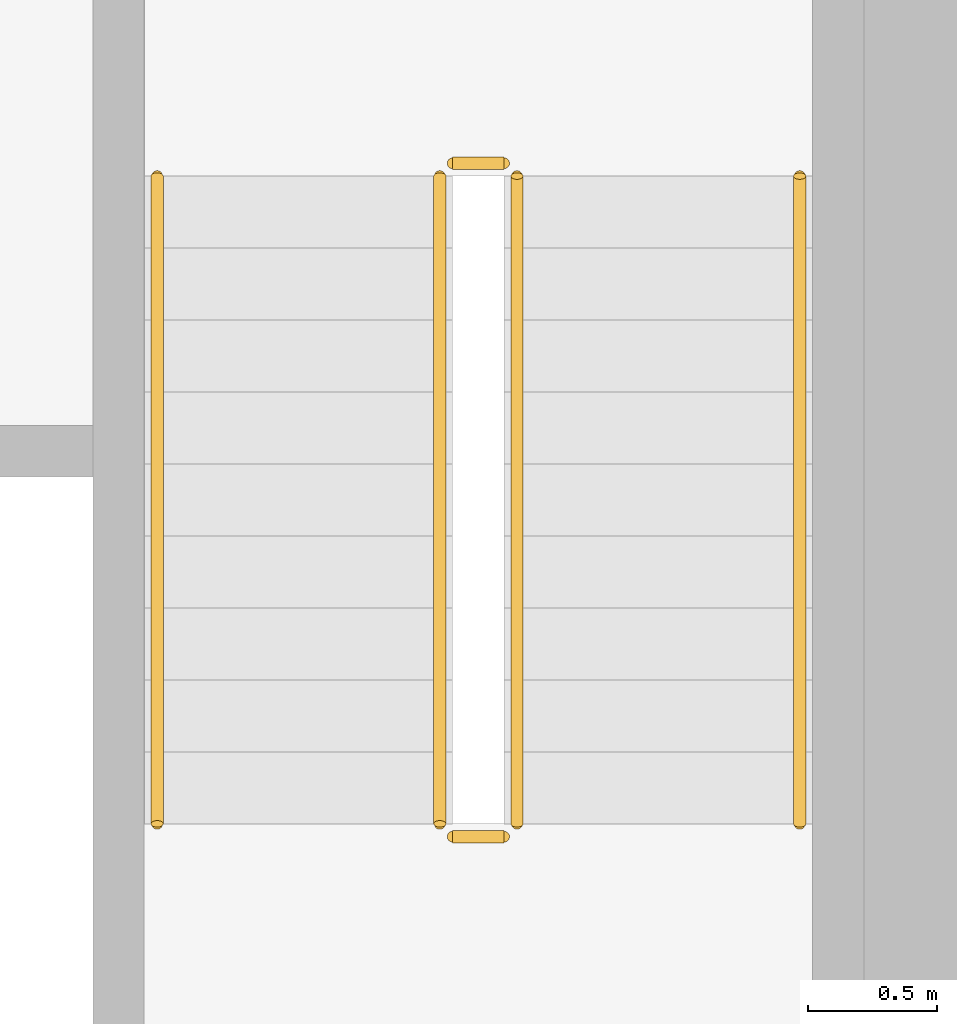
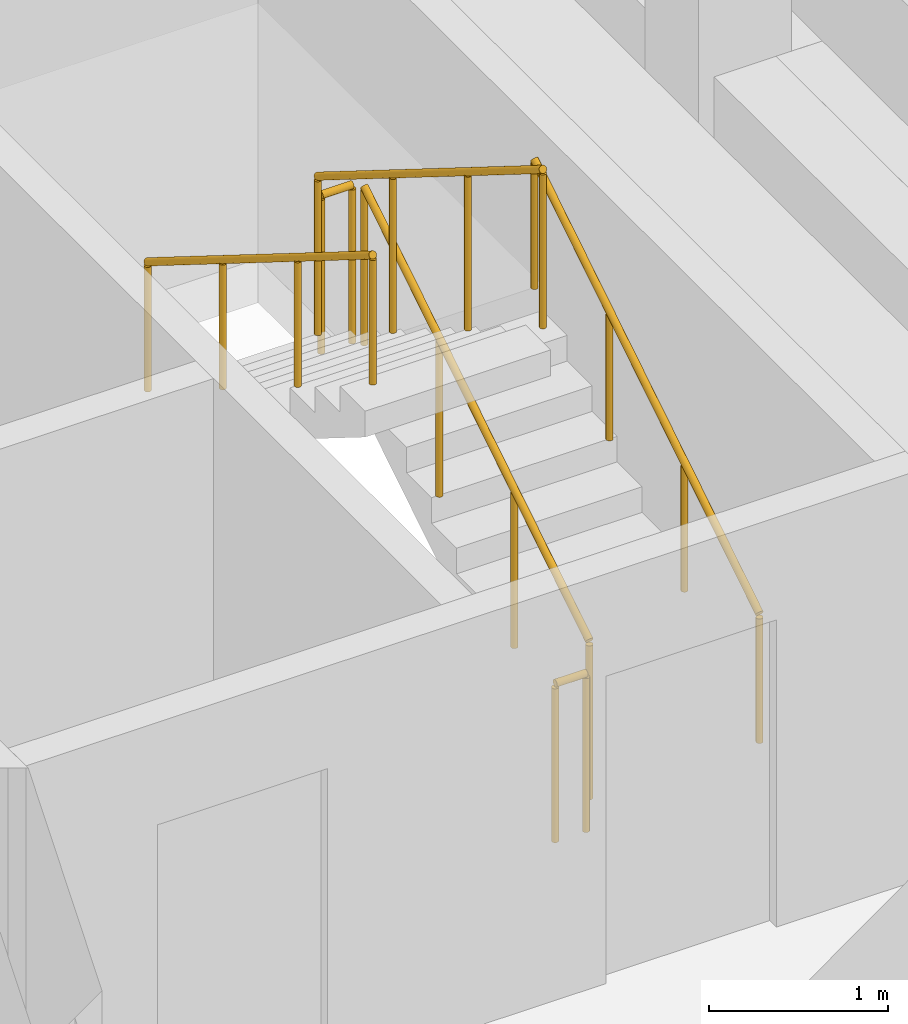
# One storey, part 9 of 12: 6 railings.
"""IFC4 building model written with IfcOpenShell, lengths in metres."""

from ifc_helpers import new_model, si_unit, direction, frame, origin, origin_2d, place, context, subcontext, project, spatial, circle, extrude, material, type_object, element, save


model = new_model("IFC4")

# Units and contexts
model_context = context("Model", 3, precision=1e-05, world=origin(), true_north=direction((0.0, 1.0)))
body_context = subcontext(model_context, "Body", "Model", "MODEL_VIEW")
ifc_project = project(units=[si_unit("LENGTHUNIT", "METRE"), si_unit("AREAUNIT", "SQUARE_METRE"), si_unit("VOLUMEUNIT", "CUBIC_METRE"), si_unit("PLANEANGLEUNIT", "RADIAN"), si_unit("MASSUNIT", "GRAM", prefix="KILO")], contexts=[model_context])

# Site, building, storey
site_placement = place(None, origin())
site = spatial("IfcSite", under=ifc_project, at=site_placement, CompositionType="ELEMENT")
building_placement = place(site_placement, origin())
building = spatial("IfcBuilding", under=site, at=building_placement, Name="Kiln Ring Residences", CompositionType="ELEMENT")
storey_placement = place(building_placement, frame((0.0, 0.0, 310.39990234375)))
storey = spatial("IfcBuildingStorey", under=building, at=storey_placement, Name="L80 Crown", CompositionType="ELEMENT", Elevation=310.39990234375)

# Railings
ifc_material_1 = material(Name="Stainless steel", Category="steel")
railing_type_1 = type_object("IfcRailingType", Name="CORE-STAIR-GUARD", PredefinedType="GUARDRAIL", material=ifc_material_1)
railing_1_placement = place(storey_placement, frame((22.25, -8.39990234375, 0.175048828125)))
element("IfcRailing", 1, at=railing_1_placement, inside=storey, type_object=railing_type_1, Name="L80 Crown E-STS stair guard 1", PredefinedType="GUARDRAIL", context=body_context, shape_type="SweptSolid", body=[
    extrude(circle(Radius=0.02392578125, at=origin_2d()), frame((0.0, 0.0, 1.076171875), z_axis=(0.0, 0.848007534815, 0.529984170421), x_axis=(-1.0, 0.0, 0.0)), (0.0, 0.0, 1.0), 2.9716796875),
    extrude(circle(Radius=0.02099609375, at=origin_2d()), origin(), (0.0, 0.0, 1.0), 1.052001953125),
    extrude(circle(Radius=0.02099609375, at=origin_2d()), frame((0.0, 0.840087890625, 0.52490234375)), (0.0, 0.0, 1.0), 1.052001953125),
    extrude(circle(Radius=0.02099609375, at=origin_2d()), frame((0.0, 1.679931640625, 1.050048828125)), (0.0, 0.0, 1.0), 1.052001953125),
    extrude(circle(Radius=0.02099609375, at=origin_2d()), frame((0.0, 2.52001953125, 1.574951171875)), (0.0, 0.0, 1.0), 1.052001953125),
])
railing_2_placement = place(storey_placement, frame((22.199951171875, -5.830078125, 1.75)))
element("IfcRailing", 2, at=railing_2_placement, inside=storey, type_object=railing_type_1, Name="L80 Crown E-STS stair guard 2", PredefinedType="GUARDRAIL", context=body_context, shape_type="SweptSolid", body=[
    extrude(circle(Radius=0.02392578125, at=origin_2d()), frame((0.0, 0.0, 1.076171875), z_axis=(-1.0, 0.0, 0.0), x_axis=(0.0, -1.0, 0.0)), (0.0, 0.0, 1.0), 0.199951171875),
    extrude(circle(Radius=0.02099609375, at=origin_2d()), origin(), (0.0, 0.0, 1.0), 1.052001953125),
    extrude(circle(Radius=0.02099609375, at=origin_2d()), frame((-0.199951171875, 0.0, 0.0)), (0.0, 0.0, 1.0), 1.052001953125),
])
railing_3_placement = place(storey_placement, frame((21.949951171875, -5.8798828125, 1.925048828125)))
element("IfcRailing", 3, at=railing_3_placement, inside=storey, type_object=railing_type_1, Name="L80 Crown E-STS stair guard 3", PredefinedType="GUARDRAIL", context=body_context, shape_type="SweptSolid", body=[
    extrude(circle(Radius=0.02392578125, at=origin_2d()), frame((0.0, 0.0, 1.076171875), z_axis=(0.0, -0.848007534815, 0.529984170421), x_axis=(1.0, 0.0, 0.0)), (0.0, 0.0, 1.0), 2.9716796875),
    extrude(circle(Radius=0.02099609375, at=origin_2d()), origin(), (0.0, 0.0, 1.0), 1.052001953125),
    extrude(circle(Radius=0.02099609375, at=origin_2d()), frame((0.0, -0.840087890625, 0.52490234375)), (0.0, 0.0, 1.0), 1.052001953125),
    extrude(circle(Radius=0.02099609375, at=origin_2d()), frame((0.0, -1.679931640625, 1.050048828125)), (0.0, 0.0, 1.0), 1.052001953125),
    extrude(circle(Radius=0.02099609375, at=origin_2d()), frame((0.0, -2.52001953125, 1.574951171875)), (0.0, 0.0, 1.0), 1.052001953125),
])
railing_4_placement = place(storey_placement, frame((22.199951171875, -8.449951171875, 0.0)))
element("IfcRailing", 4, at=railing_4_placement, inside=storey, type_object=railing_type_1, Name="L80 Crown E-STS stair guard 4", PredefinedType="GUARDRAIL", context=body_context, shape_type="SweptSolid", body=[
    extrude(circle(Radius=0.02392578125, at=origin_2d()), frame((0.0, 0.0, 1.076171875), z_axis=(-1.0, 0.0, 0.0), x_axis=(0.0, -1.0, 0.0)), (0.0, 0.0, 1.0), 0.199951171875),
    extrude(circle(Radius=0.02099609375, at=origin_2d()), origin(), (0.0, 0.0, 1.0), 1.052001953125),
    extrude(circle(Radius=0.02099609375, at=origin_2d()), frame((-0.199951171875, 0.0, 0.0)), (0.0, 0.0, 1.0), 1.052001953125),
])
ifc_material_2 = material(Name="Stainless steel", Category="steel")
railing_type_2 = type_object("IfcRailingType", Name="CORE-STAIR-HANDRAIL", PredefinedType="HANDRAIL", material=ifc_material_2)
railing_5_placement = place(storey_placement, frame((23.35009765625, -8.39990234375, 0.175048828125)))
element("IfcRailing", 5, at=railing_5_placement, inside=storey, type_object=railing_type_2, Name="L80 Crown E-STS stair handrail 1", PredefinedType="HANDRAIL", context=body_context, shape_type="SweptSolid", body=[
    extrude(circle(Radius=0.02392578125, at=origin_2d()), frame((0.0, 0.0, 0.8759765625), z_axis=(0.0, 0.848007534815, 0.529984170421), x_axis=(-1.0, 0.0, 0.0)), (0.0, 0.0, 1.0), 2.9716796875),
    extrude(circle(Radius=0.02099609375, at=origin_2d()), origin(), (0.0, 0.0, 1.0), 0.851806640625),
    extrude(circle(Radius=0.02099609375, at=origin_2d()), frame((0.0, 0.840087890625, 0.52490234375)), (0.0, 0.0, 1.0), 0.851806640625),
    extrude(circle(Radius=0.02099609375, at=origin_2d()), frame((0.0, 1.679931640625, 1.050048828125)), (0.0, 0.0, 1.0), 0.851806640625),
    extrude(circle(Radius=0.02099609375, at=origin_2d()), frame((0.0, 2.52001953125, 1.574951171875)), (0.0, 0.0, 1.0), 0.851806640625),
])
railing_6_placement = place(storey_placement, frame((20.85009765625, -5.8798828125, 1.925048828125)))
element("IfcRailing", 6, at=railing_6_placement, inside=storey, type_object=railing_type_2, Name="L80 Crown E-STS stair handrail 2", PredefinedType="HANDRAIL", context=body_context, shape_type="SweptSolid", body=[
    extrude(circle(Radius=0.02392578125, at=origin_2d()), frame((0.0, 0.0, 0.8759765625), z_axis=(0.0, -0.848007534815, 0.529984170421), x_axis=(1.0, 0.0, 0.0)), (0.0, 0.0, 1.0), 2.9716796875),
    extrude(circle(Radius=0.02099609375, at=origin_2d()), origin(), (0.0, 0.0, 1.0), 0.851806640625),
    extrude(circle(Radius=0.02099609375, at=origin_2d()), frame((0.0, -0.840087890625, 0.52490234375)), (0.0, 0.0, 1.0), 0.851806640625),
    extrude(circle(Radius=0.02099609375, at=origin_2d()), frame((0.0, -1.679931640625, 1.050048828125)), (0.0, 0.0, 1.0), 0.851806640625),
    extrude(circle(Radius=0.02099609375, at=origin_2d()), frame((0.0, -2.52001953125, 1.574951171875)), (0.0, 0.0, 1.0), 0.851806640625),
])

save(model, "model.ifc")
